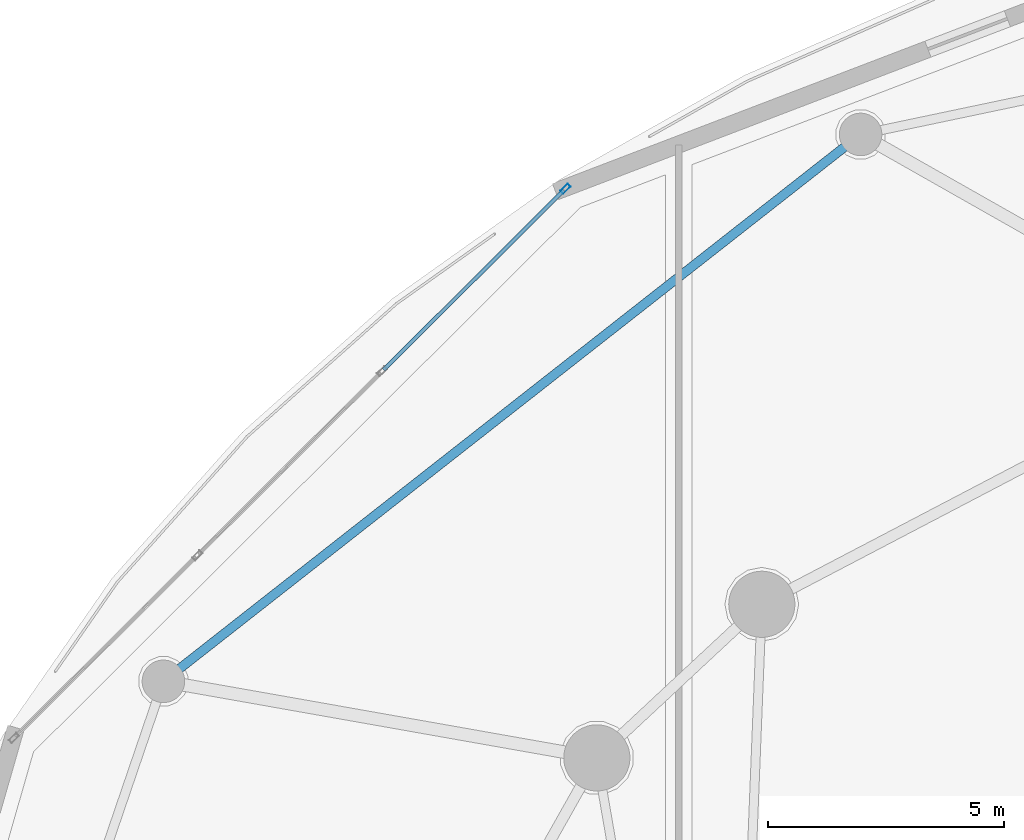
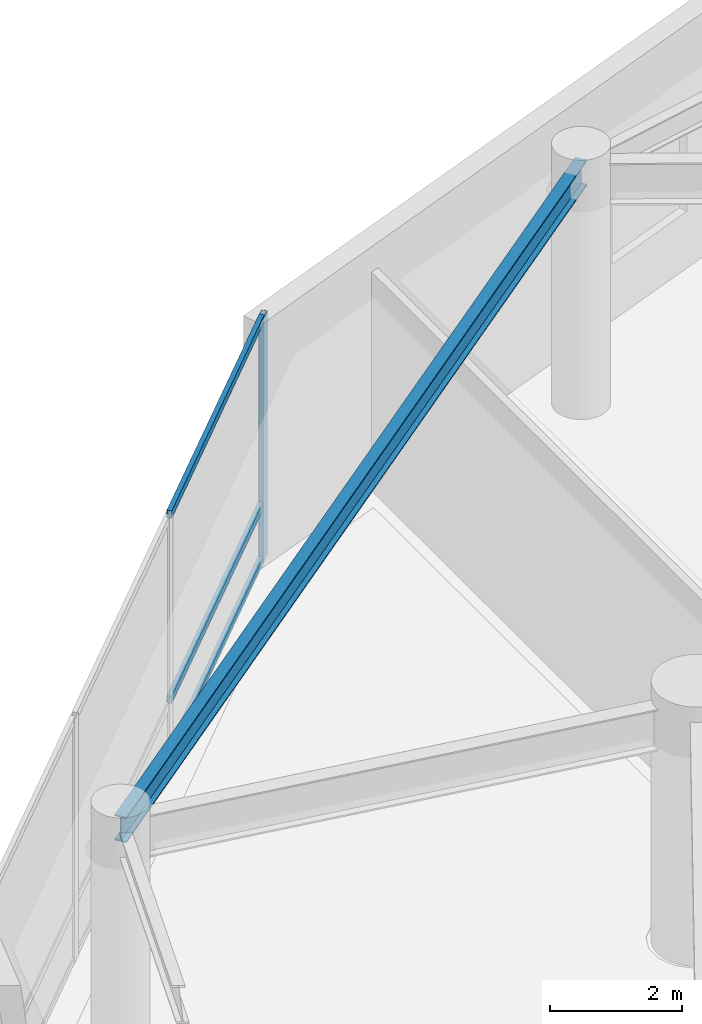
# One storey, part 9 of 36: 4 members, 1 beam, 1 element without a shape of its own.
"""IFC4 building model written with IfcOpenShell, lengths in metres."""

import ifcopenshell
import ifcopenshell.guid

model = None  # the IFC model being written
_history = None  # IfcOwnerHistory: only IFC2X3 demands one
_inside = {}  # id of a spatial element -> (the spatial element, [elements in it])
_under = {}  # id of a project, library or spatial element -> (it, [spatial elements below it])
_declared = {}  # id of a project -> (the project, [libraries it declares])
_typed = {}  # id of a type object -> (the type object, [elements of that type])
_made_of = {}  # id of a material, layer set ... -> (it, [elements and type objects made of it])


def new_model(schema):
    """Start an empty IFC model of exactly this schema.

    Asked for "IFC4X3", IfcOpenShell would pick the latest addendum, in which some entities
    have other attributes; the version numbers below select the first issue.
    IFC2X3 requires an IfcOwnerHistory on every rooted entity: one is made here for all.
    """
    global model, _history
    if schema == "IFC4X3":
        model = ifcopenshell.file(schema_version=(4, 3, 0, 0))
    else:
        model = ifcopenshell.file(schema=schema)
    _inside.clear()
    _under.clear()
    _declared.clear()
    _typed.clear()
    _made_of.clear()
    _history = None
    if model.schema == "IFC2X3":
        org = make("IfcOrganization", Name="unknown")
        user = make(
            "IfcPersonAndOrganization",
            ThePerson=make("IfcPerson", FamilyName="unknown"),
            TheOrganization=org,
        )
        app = make(
            "IfcApplication",
            ApplicationDeveloper=org,
            Version="unknown",
            ApplicationFullName="unknown",
            ApplicationIdentifier="unknown",
        )
        _history = make(
            "IfcOwnerHistory",
            OwningUser=user,
            OwningApplication=app,
            ChangeAction="ADDED",
            CreationDate=0,
        )
    return model


def make(cls, **values):
    """One entity of the class cls with the attributes given. An attribute that is None is left unset."""
    return model.create_entity(
        cls, **{name: value for name, value in values.items() if value is not None}
    )


def rooted(cls, **values):
    """An entity with a GlobalId (a new one), such as an element, a storey or a relation."""
    return make(cls, GlobalId=ifcopenshell.guid.new(), OwnerHistory=_history, **values)


def si_unit(unit_type, name, prefix=None):
    """IfcSIUnit, for example si_unit("LENGTHUNIT", "METRE", prefix="MILLI")."""
    return make("IfcSIUnit", UnitType=unit_type, Prefix=prefix, Name=name)


def assignment(units):
    """IfcUnitAssignment: the units of a project."""
    return None if units is None else make("IfcUnitAssignment", Units=units)


def point(xyz):
    """IfcCartesianPoint."""
    return None if xyz is None else make("IfcCartesianPoint", Coordinates=xyz)


def direction(xyz):
    """IfcDirection."""
    return None if xyz is None else make("IfcDirection", DirectionRatios=xyz)


def frame(location, z_axis=None, x_axis=None):
    """IfcAxis2Placement3D, a coordinate frame: its origin and axes. An axis left out is left unset."""
    return make(
        "IfcAxis2Placement3D",
        Location=point(location),
        Axis=direction(z_axis),
        RefDirection=direction(x_axis),
    )


def frame_2d(location, x_axis=None):
    """IfcAxis2Placement2D, a coordinate frame in the plane: its origin and x axis."""
    return make(
        "IfcAxis2Placement2D", Location=point(location), RefDirection=direction(x_axis)
    )


def origin():
    """The frame at (0, 0, 0) with its axes left unset."""
    return frame((0.0, 0.0, 0.0))


def origin_2d():
    """The frame at (0, 0) in the plane with its x axis left unset."""
    return frame_2d((0.0, 0.0))


def place(relative_to, where):
    """IfcLocalPlacement: puts the frame where relative to a parent placement (None: the world)."""
    return make(
        "IfcLocalPlacement", PlacementRelTo=relative_to, RelativePlacement=where
    )


def context(
    kind, dimensions, precision=None, world=None, true_north=None, identifier=None
):
    """IfcGeometricRepresentationContext, for example the 3D "Model" context."""
    return make(
        "IfcGeometricRepresentationContext",
        ContextIdentifier=identifier,
        ContextType=kind,
        CoordinateSpaceDimension=dimensions,
        Precision=precision,
        WorldCoordinateSystem=world,
        TrueNorth=true_north,
    )


def subcontext(parent, identifier, kind, view, scale=None):
    """IfcGeometricRepresentationSubContext, for example "Body" below "Model"."""
    return make(
        "IfcGeometricRepresentationSubContext",
        ContextIdentifier=identifier,
        ContextType=kind,
        ParentContext=parent,
        TargetScale=scale,
        TargetView=view,
    )


def project(units=None, contexts=None):
    """IfcProject with its units and contexts."""
    return rooted(
        "IfcProject",
        Name="project",
        RepresentationContexts=contexts,
        UnitsInContext=assignment(units),
    )


def spatial(cls, under=None, at=None, **own):
    """A site, building, storey or space (cls), placed at a placement, below another one or the project."""
    s = rooted(cls, ObjectPlacement=at, **own)
    if under is not None:
        _under.setdefault(under.id(), (under, []))[1].append(s)
    return s


def profile(cls, at=None, kind="AREA", **sizes):
    """A parametric profile (cls). Its sizes go by their IFC names, for example OverallWidth=200.0."""
    return make(cls, ProfileType=kind, Position=at, **sizes)


def hollow_rectangle(**sizes):
    """IfcRectangleHollowProfileDef."""
    return profile("IfcRectangleHollowProfileDef", **sizes)


def i_section(**sizes):
    """IfcIShapeProfileDef."""
    return profile("IfcIShapeProfileDef", **sizes)


def extrude(swept, where, along, depth):
    """IfcExtrudedAreaSolid: the profile swept, set in the frame where, extruded along a direction by depth."""
    return make(
        "IfcExtrudedAreaSolid",
        SweptArea=swept,
        Position=where,
        ExtrudedDirection=direction(along),
        Depth=depth,
    )


def shape(context_of_items, identifier, shape_type, items):
    """IfcShapeRepresentation: the items that make up one representation, for example the "Body"."""
    return make(
        "IfcShapeRepresentation",
        ContextOfItems=context_of_items,
        RepresentationIdentifier=identifier,
        RepresentationType=shape_type,
        Items=items,
    )


def material(Name=None, Category=None):
    """IfcMaterial."""
    return make("IfcMaterial", Name=Name, Category=Category)


def layer(
    of_material, thickness, ventilated=None, Name=None, Category=None, Priority=None
):
    """IfcMaterialLayer: one layer of a wall or slab, of a material (None: an air gap)."""
    return make(
        "IfcMaterialLayer",
        Material=of_material,
        LayerThickness=thickness,
        IsVentilated=ventilated,
        Name=Name,
        Category=Category,
        Priority=Priority,
    )


def layer_set(layers, Name=None):
    """IfcMaterialLayerSet."""
    return make("IfcMaterialLayerSet", MaterialLayers=layers, LayerSetName=Name)


def material_profile(
    of_material, cross_section, Name=None, Category=None, Priority=None
):
    """IfcMaterialProfile: a cross section and its material."""
    return make(
        "IfcMaterialProfile",
        Name=Name,
        Material=of_material,
        Profile=cross_section,
        Priority=Priority,
        Category=Category,
    )


def profile_set(profiles, Name=None, composite=None):
    """IfcMaterialProfileSet."""
    return make(
        "IfcMaterialProfileSet",
        Name=Name,
        MaterialProfiles=profiles,
        CompositeProfile=composite,
    )


def made_of(thing, what):
    """Note that an element or type object is made of a material, layer set ...; save() writes the relation."""
    if what is not None:
        _made_of.setdefault(what.id(), (what, []))[1].append(thing)
    return thing


def type_object(cls, material=None, **own):
    """A type object (cls), such as IfcWallType, which elements share."""
    return made_of(rooted(cls, **own), material)


def element(
    cls,
    number,
    at=None,
    inside=None,
    cuts=None,
    type_object=None,
    material=None,
    context=None,
    identifier="Body",
    shape_type=None,
    held_by="IfcProductDefinitionShape",
    body=None,
    shapes=None,
    **own,
):
    """One element of the class cls, such as IfcWall. Its Tag is "e" and its number.

    at: its placement. inside: the storey or other place that contains it. cuts: it is an
    opening in that element (IfcRelVoidsElement). A single representation is given by context,
    identifier, shape_type and body (its items); several are given by shapes. held_by: the class
    of the entity that holds the representations. save() writes the other relations.
    """
    e = rooted(cls, Tag="e%d" % number, ObjectPlacement=at, **own)
    if body is not None:
        shapes = [shape(context, identifier, shape_type, body)]
    if shapes is not None:
        e.Representation = make(held_by, Representations=shapes)
    if inside is not None:
        _inside.setdefault(inside.id(), (inside, []))[1].append(e)
    if cuts is not None:
        rooted(
            "IfcRelVoidsElement", RelatingBuildingElement=cuts, RelatedOpeningElement=e
        )
    if type_object is not None:
        _typed.setdefault(type_object.id(), (type_object, []))[1].append(e)
    return made_of(e, material)


def aggregate(whole, parts):
    """IfcRelAggregates: a whole, such as a stair, and the parts it consists of."""
    return rooted("IfcRelAggregates", RelatingObject=whole, RelatedObjects=parts)


def save(model, path):
    """Write the relations noted so far, then the file.

    IfcRelAggregates (storeys below a building ...), IfcRelContainedInSpatialStructure (elements
    in a storey), IfcRelDefinesByType, IfcRelAssociatesMaterial and IfcRelDeclares: one each for
    every whole, place, type object, material and project.
    """
    for whole, parts in _under.values():
        aggregate(whole, parts)
    for where, things in _inside.values():
        rooted(
            "IfcRelContainedInSpatialStructure",
            RelatedElements=things,
            RelatingStructure=where,
        )
    for kind, things in _typed.values():
        rooted("IfcRelDefinesByType", RelatedObjects=things, RelatingType=kind)
    for what, things in _made_of.values():
        rooted("IfcRelAssociatesMaterial", RelatedObjects=things, RelatingMaterial=what)
    for by, libraries in _declared.values():
        rooted("IfcRelDeclares", RelatingContext=by, RelatedDefinitions=libraries)
    model.write(path)


model = new_model("IFC4")

# Units and contexts
model_context = context("Model", 3, precision=1e-05, world=origin(), true_north=direction((0.0, 1.0)))
body_context = subcontext(model_context, "Body", "Model", "MODEL_VIEW")
ifc_project = project(units=[si_unit("LENGTHUNIT", "METRE"), si_unit("AREAUNIT", "SQUARE_METRE"), si_unit("VOLUMEUNIT", "CUBIC_METRE"), si_unit("PLANEANGLEUNIT", "RADIAN"), si_unit("MASSUNIT", "GRAM", prefix="KILO")], contexts=[model_context])

# Site, building, storey
site_placement = place(None, origin())
site = spatial("IfcSite", under=ifc_project, at=site_placement, CompositionType="ELEMENT")
building_placement = place(site_placement, origin())
building = spatial("IfcBuilding", under=site, at=building_placement, Name="Kazevale Care Tower and Concert Hall", CompositionType="ELEMENT")
storey_placement = place(building_placement, frame((0.0, 0.0, 14.39990234375)))
storey = spatial("IfcBuildingStorey", under=building, at=storey_placement, Name="L03", CompositionType="ELEMENT", Elevation=14.39990234375)

# Curtain wall, members
ifc_material_1 = material(Name="Aluminium 6063-T6 and Low-E Glass", Category="aluminium")
ifc_layer = layer(ifc_material_1, 0.179931640625)
ifc_layer_set = layer_set([ifc_layer], Name="Aluminium 6063-T6 and Low-E Glass")
curtain_wall_type = type_object("IfcCurtainWallType", Name="Podium Double-Skin Medical Curtain Wall CW-1", PredefinedType="NOTDEFINED", material=ifc_layer_set)
curtain_wall_placement = place(storey_placement, origin())
curtain_wall = element("IfcCurtainWall", 1, at=curtain_wall_placement, inside=storey, type_object=curtain_wall_type, Name="cw:L03:pod:06", PredefinedType="NOTDEFINED")
ifc_material_2 = material(Name="Aluminium 6063-T6", Category="aluminium")
ifc_material_profile_1 = material_profile(ifc_material_2, hollow_rectangle(XDim=0.090087890625, YDim=0.219970703125, WallThickness=0.0048828125, at=origin_2d()), Name="ALU90x220x5")
ifc_profile_set_1 = profile_set([ifc_material_profile_1], Name="Aluminium 6063-T6")
member_type_1 = type_object("IfcMemberType", Name="CW-1 Mullion ALU90x220x5", PredefinedType="MULLION", material=ifc_profile_set_1)
member_1_placement = place(storey_placement, frame((18.607177734375, 64.22216796875, 0.0), z_axis=(0.0, 0.0, 1.0), x_axis=(0.705655814257, -0.708554776856, 0.0)))
member_1 = element("IfcMember", 2, at=member_1_placement, type_object=member_type_1, Name="CW-1 mullion 1", PredefinedType="MULLION", context=body_context, shape_type="SweptSolid", body=[
    extrude(hollow_rectangle(XDim=0.090087890625, YDim=0.219970703125, WallThickness=0.0048828125, at=origin_2d()), origin(), (0.0, 0.0, 1.0), 4.52001953125),
])
ifc_material_profile_2 = material_profile(ifc_material_2, hollow_rectangle(XDim=0.080078125, YDim=0.139892578125, WallThickness=0.00390625, at=origin_2d()), Name="ALU80x140x4")
ifc_profile_set_2 = profile_set([ifc_material_profile_2], Name="Aluminium 6063-T6")
member_type_2 = type_object("IfcMemberType", Name="CW-1 Transom ALU80x140x4", PredefinedType="USERDEFINED", material=ifc_profile_set_2)
member_2_placement = place(storey_placement, frame((18.5751953125, 64.1904296875, 0.0400390625), z_axis=(-0.708556322862, -0.705654261896, 0.0), x_axis=(0.705654261896, -0.708556322862, 0.0)))
member_2 = element("IfcMember", 3, at=member_2_placement, type_object=member_type_2, Name="CW-1 transom 1.1", ObjectType="TRANSOM", PredefinedType="USERDEFINED", context=body_context, shape_type="SweptSolid", body=[
    extrude(hollow_rectangle(XDim=0.080078125, YDim=0.139892578125, WallThickness=0.00390625, at=origin_2d()), origin(), (0.0, 0.0, 1.0), 5.384033203125),
])
member_3_placement = place(storey_placement, frame((18.5751953125, 64.1904296875, 1.050048828125), z_axis=(-0.708556322862, -0.705654261896, 0.0), x_axis=(0.705654261896, -0.708556322862, 0.0)))
member_3 = element("IfcMember", 4, at=member_3_placement, type_object=member_type_2, Name="CW-1 transom 1.2", ObjectType="TRANSOM", PredefinedType="USERDEFINED", context=body_context, shape_type="SweptSolid", body=[
    extrude(hollow_rectangle(XDim=0.080078125, YDim=0.139892578125, WallThickness=0.00390625, at=origin_2d()), origin(), (0.0, 0.0, 1.0), 5.384033203125),
])
member_4_placement = place(storey_placement, frame((18.5751953125, 64.1904296875, 4.47998046875), z_axis=(-0.708556322862, -0.705654261896, 0.0), x_axis=(0.705654261896, -0.708556322862, 0.0)))
member_4 = element("IfcMember", 5, at=member_4_placement, type_object=member_type_2, Name="CW-1 transom 1.3", ObjectType="TRANSOM", PredefinedType="USERDEFINED", context=body_context, shape_type="SweptSolid", body=[
    extrude(hollow_rectangle(XDim=0.080078125, YDim=0.139892578125, WallThickness=0.00390625, at=origin_2d()), origin(), (0.0, 0.0, 1.0), 5.384033203125),
])
aggregate(curtain_wall, [member_1, member_2, member_3, member_4])

# Beam
ifc_material_3 = material(Name="Steel ASTM A572 Gr 50", Category="steel")
ifc_material_profile_3 = material_profile(ifc_material_3, i_section(OverallWidth=0.194091796875, OverallDepth=0.468994140625, WebThickness=0.0126953125, FlangeThickness=0.0205078125, at=origin_2d()), Name="W460x106")
ifc_profile_set_3 = profile_set([ifc_material_profile_3], Name="Steel ASTM A572 Gr 50")
beam_type = type_object("IfcBeamType", Name="Podium Floor Beam W460x106", PredefinedType="BEAM", material=ifc_profile_set_3)
beam_placement = place(storey_placement, frame((24.85009765625, 65.3701171875, 4.28564453125), z_axis=(-0.786816091325, -0.617187522907, 0.0), x_axis=(0.617187522907, -0.786816091325, 0.0)))
element("IfcBeam", 6, at=beam_placement, inside=storey, type_object=beam_type, Name="beam:L03:podring:05", PredefinedType="BEAM", context=body_context, shape_type="SweptSolid", body=[
    extrude(i_section(OverallWidth=0.194091796875, OverallDepth=0.468994140625, WebThickness=0.0126953125, FlangeThickness=0.0205078125, at=origin_2d()), origin(), (0.0, 0.0, 1.0), 18.746337890625),
])

save(model, "model.ifc")
